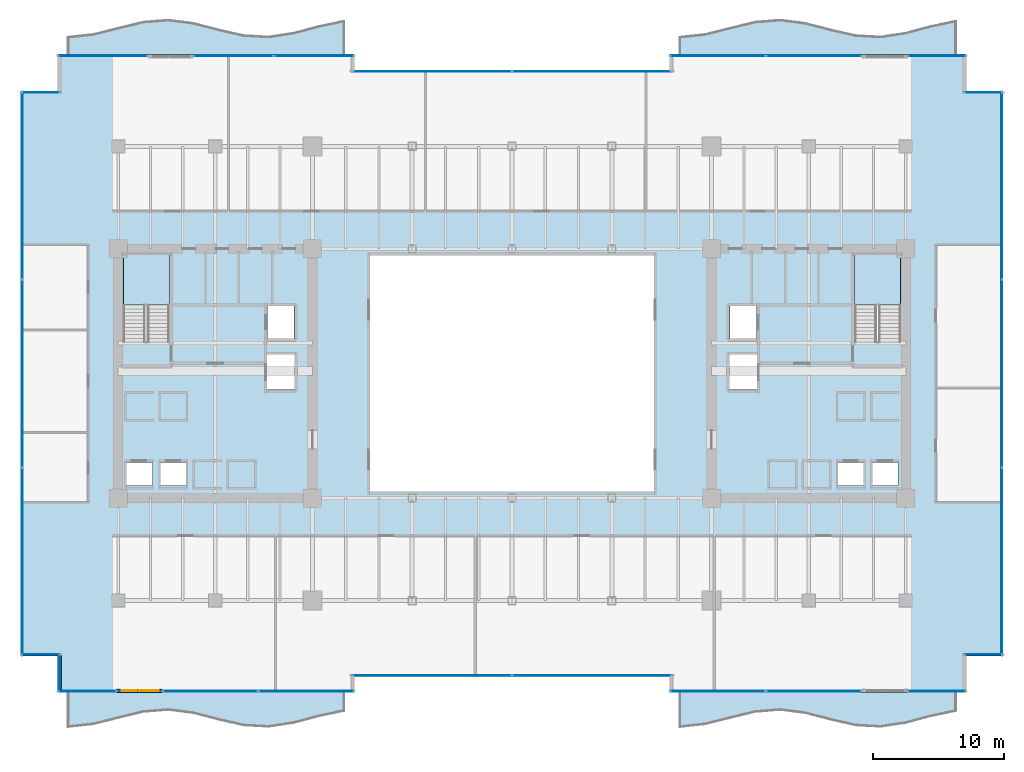
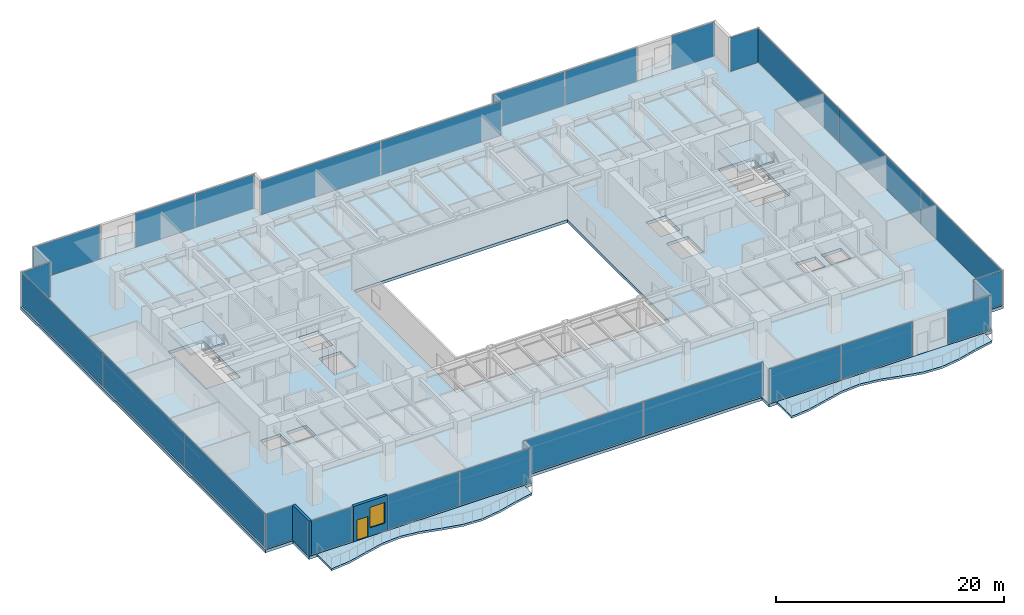
# One storey, part 23 of 32: 26 plates, 7 slabs, 2 walls, 1 door, 1 window, 2 openings, 18 elements without a shape of their own.
"""IFC4 building model written with IfcOpenShell, lengths in metres."""

from ifc_helpers import new_model, si_unit, direction, frame, frame_2d, origin, origin_2d, place, context, subcontext, project, spatial, polyline, rectangle, outline, extrude, source, transform, mapped, material, layer, layer_set, type_object, type_shapes, element, fill, aggregate, save


model = new_model("IFC4")

# Units and contexts
model_context = context("Model", 3, precision=1e-05, world=origin(), true_north=direction((0.0, 1.0)))
body_context = subcontext(model_context, "Body", "Model", "MODEL_VIEW")
ifc_project = project(units=[si_unit("LENGTHUNIT", "METRE"), si_unit("AREAUNIT", "SQUARE_METRE"), si_unit("VOLUMEUNIT", "CUBIC_METRE"), si_unit("PLANEANGLEUNIT", "RADIAN"), si_unit("MASSUNIT", "GRAM", prefix="KILO")], contexts=[model_context])

# Site, building, storey
site_placement = place(None, origin())
site = spatial("IfcSite", under=ifc_project, at=site_placement, CompositionType="ELEMENT")
building_placement = place(site_placement, origin())
building = spatial("IfcBuilding", under=site, at=building_placement, Name="Haelvirn Gate Laboratories", CompositionType="ELEMENT")
storey_placement = place(building_placement, frame((0.0, 0.0, 33.39990234375)))
storey = spatial("IfcBuildingStorey", under=building, at=storey_placement, Name="L08", CompositionType="ELEMENT", Elevation=33.39990234375)

# Stair, slab
ifc_material_1 = material(Name="Concrete C40/50", Category="concrete")
stair_type = type_object("IfcStairType", Name="ST-DOG-1650-R22", PredefinedType="HALF_TURN_STAIR", material=ifc_material_1)
stair_1_placement = place(storey_placement, origin())
stair_1 = element("IfcStair", 1, at=stair_1_placement, inside=storey, type_object=stair_type, Name="L08 Escape Stair ST1", PredefinedType="HALF_TURN_STAIR")
ifc_layer_1 = layer(ifc_material_1, 0.199951171875, Name="SL-STAIR-LND")
ifc_layer_set_1 = layer_set([ifc_layer_1], Name="Concrete C40/50")
slab_type_1 = type_object("IfcSlabType", Name="SL-STAIR-LND", PredefinedType="LANDING", material=ifc_layer_set_1)
slab_1_placement = place(storey_placement, frame((0.0, 0.0, 1.85009765625)))
slab_1 = element("IfcSlab", 2, at=slab_1_placement, type_object=slab_type_1, Name="ST1 landing 1", PredefinedType="LANDING", context=body_context, shape_type="SweptSolid", body=[
    extrude(outline(polyline([(11.300048828125, 29.5), (11.300048828125, 33.35009765625), (7.800048828125, 33.35009765625), (7.800048828125, 29.5), (11.300048828125, 29.5)])), origin(), (0.0, 0.0, 1.0), 0.199951171875),
])
aggregate(stair_1, [slab_1])

stair_2_placement = place(storey_placement, origin())
stair_2 = element("IfcStair", 3, at=stair_2_placement, inside=storey, type_object=stair_type, Name="L08 Escape Stair ST2", PredefinedType="HALF_TURN_STAIR")
slab_2_placement = place(storey_placement, frame((0.0, 0.0, 1.85009765625)))
slab_2 = element("IfcSlab", 4, at=slab_2_placement, type_object=slab_type_1, Name="ST2 landing 1", PredefinedType="LANDING", context=body_context, shape_type="SweptSolid", body=[
    extrude(outline(polyline([(67.0, 29.5), (67.0, 33.35009765625), (63.5, 33.35009765625), (63.5, 29.5), (67.0, 29.5)])), origin(), (0.0, 0.0, 1.0), 0.199951171875),
])
aggregate(stair_2, [slab_2])

# Slabs
ifc_layer_2 = layer(ifc_material_1, 0.22998046875, Name="SL-WB-P3")
ifc_layer_set_2 = layer_set([ifc_layer_2], Name="Concrete C40/50")
slab_type_2 = type_object("IfcSlabType", Name="SL-WB-P3", PredefinedType="FLOOR", material=ifc_layer_set_2)
slab_3_placement = place(storey_placement, frame((0.0, 0.0, -0.22998046875)))
element("IfcSlab", 5, at=slab_3_placement, inside=storey, type_object=slab_type_2, Name="L08 Soft-Wave Balcony WL-S", PredefinedType="FLOOR", context=body_context, shape_type="SweptSolid", body=[
    extrude(outline(polyline([(3.60009765625, -2.60009765625), (5.509033203125, -2.39794921875), (7.418212890625, -1.91748046875), (9.327392578125, -1.45703125), (11.236328125, -1.30322265625), (13.1455078125, -1.551513671875), (15.054443359375, -2.047607421875), (16.963623046875, -2.48291015625), (18.872802734375, -2.5869140625), (20.78173828125, -2.295166015625), (22.69091796875, -1.78857421875), (24.60009765625, -1.382568359375), (24.60009765625, 0.0), (22.69091796875, 0.0), (20.78173828125, 0.0), (18.872802734375, 0.0), (16.963623046875, 0.0), (15.054443359375, 0.0), (13.1455078125, 0.0), (11.236328125, 0.0), (9.327392578125, 0.0), (7.418212890625, 0.0), (5.509033203125, 0.0), (3.60009765625, 0.0), (3.60009765625, -2.60009765625)])), origin(), (0.0, 0.0, 1.0), 0.22998046875),
])
slab_4_placement = place(storey_placement, frame((0.0, 0.0, -0.22998046875)))
element("IfcSlab", 6, at=slab_4_placement, inside=storey, type_object=slab_type_2, Name="L08 Soft-Wave Balcony WL-N", PredefinedType="FLOOR", context=body_context, shape_type="SweptSolid", body=[
    extrude(outline(polyline([(3.60009765625, 48.60009765625), (5.509033203125, 48.60009765625), (7.418212890625, 48.60009765625), (9.327392578125, 48.60009765625), (11.236328125, 48.60009765625), (13.1455078125, 48.60009765625), (15.054443359375, 48.60009765625), (16.963623046875, 48.60009765625), (18.872802734375, 48.60009765625), (20.78173828125, 48.60009765625), (22.69091796875, 48.60009765625), (24.60009765625, 48.60009765625), (24.60009765625, 51.117431640625), (22.69091796875, 50.71142578125), (20.78173828125, 50.204833984375), (18.872802734375, 49.9130859375), (16.963623046875, 50.01708984375), (15.054443359375, 50.452392578125), (13.1455078125, 50.948486328125), (11.236328125, 51.19677734375), (9.327392578125, 51.04296875), (7.418212890625, 50.58251953125), (5.509033203125, 50.10205078125), (3.60009765625, 49.89990234375), (3.60009765625, 48.60009765625)])), origin(), (0.0, 0.0, 1.0), 0.22998046875),
])
slab_5_placement = place(storey_placement, frame((0.0, 0.0, -0.22998046875)))
element("IfcSlab", 7, at=slab_5_placement, inside=storey, type_object=slab_type_2, Name="L08 Soft-Wave Balcony EL-S", PredefinedType="FLOOR", context=body_context, shape_type="SweptSolid", body=[
    extrude(outline(polyline([(50.199951171875, -2.60009765625), (52.109130859375, -2.39794921875), (54.018310546875, -1.91748046875), (55.92724609375, -1.45703125), (57.83642578125, -1.30322265625), (59.74560546875, -1.551513671875), (61.654541015625, -2.047607421875), (63.563720703125, -2.48291015625), (65.47265625, -2.5869140625), (67.3818359375, -2.295166015625), (69.291015625, -1.78857421875), (71.199951171875, -1.382568359375), (71.199951171875, 0.0), (69.291015625, 0.0), (67.3818359375, 0.0), (65.47265625, 0.0), (63.563720703125, 0.0), (61.654541015625, 0.0), (59.74560546875, 0.0), (57.83642578125, 0.0), (55.92724609375, 0.0), (54.018310546875, 0.0), (52.109130859375, 0.0), (50.199951171875, 0.0), (50.199951171875, -2.60009765625)])), origin(), (0.0, 0.0, 1.0), 0.22998046875),
])
slab_6_placement = place(storey_placement, frame((0.0, 0.0, -0.22998046875)))
element("IfcSlab", 8, at=slab_6_placement, inside=storey, type_object=slab_type_2, Name="L08 Soft-Wave Balcony EL-N", PredefinedType="FLOOR", context=body_context, shape_type="SweptSolid", body=[
    extrude(outline(polyline([(50.199951171875, 48.60009765625), (52.109130859375, 48.60009765625), (54.018310546875, 48.60009765625), (55.92724609375, 48.60009765625), (57.83642578125, 48.60009765625), (59.74560546875, 48.60009765625), (61.654541015625, 48.60009765625), (63.563720703125, 48.60009765625), (65.47265625, 48.60009765625), (67.3818359375, 48.60009765625), (69.291015625, 48.60009765625), (71.199951171875, 48.60009765625), (71.199951171875, 51.117431640625), (69.291015625, 50.71142578125), (67.3818359375, 50.204833984375), (65.47265625, 49.9130859375), (63.563720703125, 50.01708984375), (61.654541015625, 50.452392578125), (59.74560546875, 50.948486328125), (57.83642578125, 51.19677734375), (55.92724609375, 51.04296875), (54.018310546875, 50.58251953125), (52.109130859375, 50.10205078125), (50.199951171875, 49.89990234375), (50.199951171875, 48.60009765625)])), origin(), (0.0, 0.0, 1.0), 0.22998046875),
])
ifc_material_2 = material(Name="Concrete C50/60", Category="concrete")
ifc_layer_3 = layer(ifc_material_2, 0.320068359375, Name="SL-Z1-320")
ifc_layer_set_3 = layer_set([ifc_layer_3], Name="Concrete C50/60")
slab_type_3 = type_object("IfcSlabType", Name="SL-Z1-320", PredefinedType="FLOOR", material=ifc_layer_set_3)
slab_7_placement = place(storey_placement, frame((0.0, 0.0, -0.31982421875)))
element("IfcSlab", 9, at=slab_7_placement, inside=storey, type_object=slab_type_3, Name="L08 Structural Slab MAIN", PredefinedType="FLOOR", context=body_context, shape_type="SweptSolid", body=[
    extrude(outline(polyline([(2.800048828125, 0.0), (25.39990234375, 0.0), (25.39990234375, 1.199951171875), (49.39990234375, 1.199951171875), (49.39990234375, 0.0), (72.0, 0.0), (72.0, 2.800048828125), (74.800048828125, 2.800048828125), (74.800048828125, 45.800048828125), (72.0, 45.800048828125), (72.0, 48.60009765625), (49.39990234375, 48.60009765625), (49.39990234375, 47.39990234375), (25.39990234375, 47.39990234375), (25.39990234375, 48.60009765625), (2.800048828125, 48.60009765625), (2.800048828125, 45.800048828125), (0.0, 45.800048828125), (0.0, 2.800048828125), (2.800048828125, 2.800048828125), (2.800048828125, 0.0)]), holes=[polyline([(26.60009765625, 15.300048828125), (48.199951171875, 15.300048828125), (48.199951171875, 33.300048828125), (26.60009765625, 33.300048828125), (26.60009765625, 15.300048828125)]), polyline([(11.300048828125, 26.780029296875), (11.300048828125, 33.35009765625), (7.800048828125, 33.35009765625), (7.800048828125, 26.780029296875), (11.300048828125, 26.780029296875)]), polyline([(67.0, 26.780029296875), (67.0, 33.35009765625), (63.5, 33.35009765625), (63.5, 26.780029296875), (67.0, 26.780029296875)]), polyline([(7.989990234375, 15.77001953125), (10.010009765625, 15.77001953125), (10.010009765625, 17.510009765625), (7.989990234375, 17.510009765625), (7.989990234375, 15.77001953125)]), polyline([(10.590087890625, 15.77001953125), (12.610107421875, 15.77001953125), (12.610107421875, 17.510009765625), (10.590087890625, 17.510009765625), (10.590087890625, 15.77001953125)]), polyline([(18.7900390625, 26.969970703125), (20.81005859375, 26.969970703125), (20.81005859375, 29.510009765625), (18.7900390625, 29.510009765625), (18.7900390625, 26.969970703125)]), polyline([(18.68994140625, 23.070068359375), (20.909912109375, 23.070068359375), (20.909912109375, 25.81005859375), (18.68994140625, 25.81005859375), (18.68994140625, 23.070068359375)]), polyline([(64.7900390625, 15.77001953125), (66.81005859375, 15.77001953125), (66.81005859375, 17.510009765625), (64.7900390625, 17.510009765625), (64.7900390625, 15.77001953125)]), polyline([(62.18994140625, 15.77001953125), (64.2099609375, 15.77001953125), (64.2099609375, 17.510009765625), (62.18994140625, 17.510009765625), (62.18994140625, 15.77001953125)]), polyline([(53.989990234375, 26.969970703125), (56.010009765625, 26.969970703125), (56.010009765625, 29.510009765625), (53.989990234375, 29.510009765625), (53.989990234375, 26.969970703125)]), polyline([(53.889892578125, 23.070068359375), (56.110107421875, 23.070068359375), (56.110107421875, 25.81005859375), (53.889892578125, 25.81005859375), (53.889892578125, 23.070068359375)])]), origin(), (0.0, 0.0, 1.0), 0.31982421875),
])

# Curtain wall, plates
ifc_material_3 = material(Name="Anodised bronze unitised aluminium & triple low-E glass", Category="aluminium")
ifc_layer_4 = layer(ifc_material_3, 0.18408203125, Name="CW-SYS-2")
ifc_layer_set_4 = layer_set([ifc_layer_4], Name="Anodised bronze unitised aluminium & triple low-E glass")
curtain_wall_type_1 = type_object("IfcCurtainWallType", Name="CW-SYS-2", PredefinedType="NOTDEFINED", material=ifc_layer_set_4)
curtain_wall_1_placement = place(storey_placement, origin())
curtain_wall_1 = element("IfcCurtainWall", 10, at=curtain_wall_1_placement, inside=storey, type_object=curtain_wall_type_1, Name="L08 Unitised Curtain Wall CW-L08-P0-E02-1", PredefinedType="NOTDEFINED")
ifc_material_4 = material(Name="Bronze solar-control triple low-E IGU 44 mm", Category="glass")
ifc_layer_5 = layer(ifc_material_4, 0.0439453125, Name="CWP-IGU-44")
ifc_layer_set_5 = layer_set([ifc_layer_5], Name="Bronze solar-control triple low-E IGU 44 mm")
plate_type_1 = type_object("IfcPlateType", Name="CWP-IGU-44", PredefinedType="CURTAIN_PANEL", material=ifc_layer_set_5)
shared_shape_1 = source(origin(), body_context, "Body", "SweptSolid", [
    extrude(rectangle(XDim=12.12744140625, YDim=0.0439453125, at=origin_2d()), origin(), (0.0, 0.0, 1.0), 3.639892578125),
])
plate_1_placement = place(storey_placement, frame((31.298828125, 1.300048828125, 0.0703125), z_axis=(0.0, 0.0, 1.0), x_axis=(1.0, 0.0, 0.0)))
plate_1 = element("IfcPlate", 11, at=plate_1_placement, type_object=plate_type_1, Name="CW2 panel 1.1", PredefinedType="CURTAIN_PANEL", context=body_context, shape_type="MappedRepresentation", body=[
    mapped(shared_shape_1, transform((0.0, 0.0, 0.0), scale=1.0)),
])
plate_2_placement = place(storey_placement, frame((43.501220703125, 1.300048828125, 0.0703125), z_axis=(0.0, 0.0, 1.0), x_axis=(1.0, 0.0, 0.0)))
plate_2 = element("IfcPlate", 12, at=plate_2_placement, type_object=plate_type_1, Name="CW2 panel 2.1", PredefinedType="CURTAIN_PANEL", context=body_context, shape_type="MappedRepresentation", body=[
    mapped(shared_shape_1, transform((0.0, 0.0, 0.0), scale=1.0)),
])
aggregate(curtain_wall_1, [plate_1, plate_2])

curtain_wall_2_placement = place(storey_placement, origin())
curtain_wall_2 = element("IfcCurtainWall", 13, at=curtain_wall_2_placement, inside=storey, type_object=curtain_wall_type_1, Name="L08 Unitised Curtain Wall CW-L08-P0-E12-1", PredefinedType="NOTDEFINED")
plate_3_placement = place(storey_placement, frame((31.298828125, 47.300048828125, 0.0703125), z_axis=(0.0, 0.0, 1.0), x_axis=(1.0, 0.0, 0.0)))
plate_3 = element("IfcPlate", 14, at=plate_3_placement, type_object=plate_type_1, Name="CW2 panel 1.1", PredefinedType="CURTAIN_PANEL", context=body_context, shape_type="MappedRepresentation", body=[
    mapped(shared_shape_1, transform((0.0, 0.0, 0.0), scale=1.0)),
])
plate_4_placement = place(storey_placement, frame((43.501220703125, 47.300048828125, 0.0703125), z_axis=(0.0, 0.0, 1.0), x_axis=(1.0, 0.0, 0.0)))
plate_4 = element("IfcPlate", 15, at=plate_4_placement, type_object=plate_type_1, Name="CW2 panel 2.1", PredefinedType="CURTAIN_PANEL", context=body_context, shape_type="MappedRepresentation", body=[
    mapped(shared_shape_1, transform((0.0, 0.0, 0.0), scale=1.0)),
])
aggregate(curtain_wall_2, [plate_3, plate_4])

# Curtain wall, plate
ifc_layer_6 = layer(ifc_material_3, 0.181884765625, Name="CW-SYS-5")
ifc_layer_set_6 = layer_set([ifc_layer_6], Name="Anodised bronze unitised aluminium & triple low-E glass")
curtain_wall_type_2 = type_object("IfcCurtainWallType", Name="CW-SYS-5", PredefinedType="NOTDEFINED", material=ifc_layer_set_6)
curtain_wall_3_placement = place(storey_placement, origin())
curtain_wall_3 = element("IfcCurtainWall", 16, at=curtain_wall_3_placement, inside=storey, type_object=curtain_wall_type_2, Name="L08 Unitised Curtain Wall CW-L08-P0-E06-1", PredefinedType="NOTDEFINED")
ifc_material_5 = material(Name="Clear low-iron notched-corner triple IGU 42 mm", Category="glass")
ifc_layer_7 = layer(ifc_material_5, 0.0419921875, Name="CWP-NTC-42")
ifc_layer_set_7 = layer_set([ifc_layer_7], Name="Clear low-iron notched-corner triple IGU 42 mm")
plate_type_2 = type_object("IfcPlateType", Name="CWP-NTC-42", PredefinedType="CURTAIN_PANEL", material=ifc_layer_set_7)
shared_shape_2 = source(origin(), body_context, "Body", "SweptSolid", [
    extrude(rectangle(XDim=2.8798828125, YDim=0.0419921875, at=origin_2d()), origin(), (0.0, 0.0, 1.0), 3.64990234375),
])
type_shapes(plate_type_2, [shared_shape_2])
plate_5_placement = place(storey_placement, frame((73.280029296875, 2.89990234375, 0.065185546875), z_axis=(0.0, 0.0, 1.0), x_axis=(1.0, 0.0, 0.0)))
plate_5 = element("IfcPlate", 17, at=plate_5_placement, type_object=plate_type_2, Name="CW5 panel 1.1", PredefinedType="CURTAIN_PANEL", context=body_context, shape_type="MappedRepresentation", body=[
    mapped(shared_shape_2, transform((0.0, 0.0, 0.0), scale=1.0)),
])
aggregate(curtain_wall_3, [plate_5])

curtain_wall_4_placement = place(storey_placement, origin())
curtain_wall_4 = element("IfcCurtainWall", 18, at=curtain_wall_4_placement, inside=storey, type_object=curtain_wall_type_2, Name="L08 Unitised Curtain Wall CW-L08-P0-E08-1", PredefinedType="NOTDEFINED")
plate_6_placement = place(storey_placement, frame((73.280029296875, 45.699951171875, 0.065185546875), z_axis=(0.0, 0.0, 1.0), x_axis=(1.0, 0.0, 0.0)))
plate_6 = element("IfcPlate", 19, at=plate_6_placement, type_object=plate_type_2, Name="CW5 panel 1.1", PredefinedType="CURTAIN_PANEL", context=body_context, shape_type="MappedRepresentation", body=[
    mapped(shared_shape_2, transform((0.0, 0.0, 0.0), scale=1.0)),
])
aggregate(curtain_wall_4, [plate_6])

curtain_wall_5_placement = place(storey_placement, origin())
curtain_wall_5 = element("IfcCurtainWall", 20, at=curtain_wall_5_placement, inside=storey, type_object=curtain_wall_type_2, Name="L08 Unitised Curtain Wall CW-L08-P0-E16-1", PredefinedType="NOTDEFINED")
plate_7_placement = place(storey_placement, frame((1.52001953125, 45.699951171875, 0.065185546875), z_axis=(0.0, 0.0, 1.0), x_axis=(1.0, 0.0, 0.0)))
plate_7 = element("IfcPlate", 21, at=plate_7_placement, type_object=plate_type_2, Name="CW5 panel 1.1", PredefinedType="CURTAIN_PANEL", context=body_context, shape_type="MappedRepresentation", body=[
    mapped(shared_shape_2, transform((0.0, 0.0, 0.0), scale=1.0)),
])
aggregate(curtain_wall_5, [plate_7])

curtain_wall_6_placement = place(storey_placement, origin())
curtain_wall_6 = element("IfcCurtainWall", 22, at=curtain_wall_6_placement, inside=storey, type_object=curtain_wall_type_2, Name="L08 Unitised Curtain Wall CW-L08-P0-E18-1", PredefinedType="NOTDEFINED")
plate_8_placement = place(storey_placement, frame((1.52001953125, 2.89990234375, 0.065185546875), z_axis=(0.0, 0.0, 1.0), x_axis=(1.0, 0.0, 0.0)))
plate_8 = element("IfcPlate", 23, at=plate_8_placement, type_object=plate_type_2, Name="CW5 panel 1.1", PredefinedType="CURTAIN_PANEL", context=body_context, shape_type="MappedRepresentation", body=[
    mapped(shared_shape_2, transform((0.0, 0.0, 0.0), scale=1.0)),
])
aggregate(curtain_wall_6, [plate_8])

# Curtain wall, plates
curtain_wall_7_placement = place(storey_placement, origin())
curtain_wall_7 = element("IfcCurtainWall", 24, at=curtain_wall_7_placement, inside=storey, type_object=curtain_wall_type_1, Name="L08 Unitised Curtain Wall CW-L08-P0-E07", PredefinedType="NOTDEFINED")
shared_shape_3 = source(origin(), body_context, "Body", "SweptSolid", [
    extrude(rectangle(XDim=14.220947265625, YDim=0.0439453125, at=origin_2d()), origin(), (0.0, 0.0, 1.0), 3.639892578125),
])
plate_9_placement = place(storey_placement, frame((74.699951171875, 9.9853515625, 0.0703125), z_axis=(0.0, 0.0, 1.0), x_axis=(0.0, 1.0, 0.0)))
plate_9 = element("IfcPlate", 25, at=plate_9_placement, type_object=plate_type_1, Name="CW2 panel 1.1", PredefinedType="CURTAIN_PANEL", context=body_context, shape_type="MappedRepresentation", body=[
    mapped(shared_shape_3, transform((0.0, 0.0, 0.0), scale=1.0)),
])
plate_10_placement = place(storey_placement, frame((74.699951171875, 38.614501953125, 0.0703125), z_axis=(0.0, 0.0, 1.0), x_axis=(0.0, 1.0, 0.0)))
plate_10 = element("IfcPlate", 26, at=plate_10_placement, type_object=plate_type_1, Name="CW2 panel 3.1", PredefinedType="CURTAIN_PANEL", context=body_context, shape_type="MappedRepresentation", body=[
    mapped(shared_shape_3, transform((0.0, 0.0, 0.0), scale=1.0)),
])

curtain_wall_8_placement = place(storey_placement, origin())
curtain_wall_8 = element("IfcCurtainWall", 27, at=curtain_wall_8_placement, inside=storey, type_object=curtain_wall_type_1, Name="L08 Unitised Curtain Wall CW-L08-P0-E17", PredefinedType="NOTDEFINED")
plate_11_placement = place(storey_placement, frame((0.10009765625, 38.614501953125, 0.0703125), z_axis=(0.0, 0.0, 1.0), x_axis=(0.0, -1.0, 0.0)))
plate_11 = element("IfcPlate", 28, at=plate_11_placement, type_object=plate_type_1, Name="CW2 panel 1.1", PredefinedType="CURTAIN_PANEL", context=body_context, shape_type="MappedRepresentation", body=[
    mapped(shared_shape_3, transform((0.0, 0.0, 0.0), scale=1.0)),
])
plate_12_placement = place(storey_placement, frame((0.10009765625, 9.9853515625, 0.0703125), z_axis=(0.0, 0.0, 1.0), x_axis=(0.0, -1.0, 0.0)))
plate_12 = element("IfcPlate", 29, at=plate_12_placement, type_object=plate_type_1, Name="CW2 panel 3.1", PredefinedType="CURTAIN_PANEL", context=body_context, shape_type="MappedRepresentation", body=[
    mapped(shared_shape_3, transform((0.0, 0.0, 0.0), scale=1.0)),
])

# Plate
shared_shape_4 = source(origin(), body_context, "Body", "SweptSolid", [
    extrude(rectangle(XDim=14.25830078125, YDim=0.0439453125, at=origin_2d()), origin(), (0.0, 0.0, 1.0), 3.639892578125),
])
plate_13_placement = place(storey_placement, frame((74.699951171875, 24.300048828125, 0.0703125), z_axis=(0.0, 0.0, 1.0), x_axis=(0.0, 1.0, 0.0)))
plate_13 = element("IfcPlate", 30, at=plate_13_placement, type_object=plate_type_1, Name="CW2 panel 2.1", PredefinedType="CURTAIN_PANEL", context=body_context, shape_type="MappedRepresentation", body=[
    mapped(shared_shape_4, transform((0.0, 0.0, 0.0), scale=1.0)),
])

aggregate(curtain_wall_7, [plate_9, plate_13, plate_10])

plate_14_placement = place(storey_placement, frame((0.10009765625, 24.300048828125, 0.0703125), z_axis=(0.0, 0.0, 1.0), x_axis=(0.0, -1.0, 0.0)))
plate_14 = element("IfcPlate", 31, at=plate_14_placement, type_object=plate_type_1, Name="CW2 panel 2.1", PredefinedType="CURTAIN_PANEL", context=body_context, shape_type="MappedRepresentation", body=[
    mapped(shared_shape_4, transform((0.0, 0.0, 0.0), scale=1.0)),
])

aggregate(curtain_wall_8, [plate_11, plate_14, plate_12])

# Curtain wall, plate
curtain_wall_9_placement = place(storey_placement, origin())
curtain_wall_9 = element("IfcCurtainWall", 32, at=curtain_wall_9_placement, inside=storey, type_object=curtain_wall_type_1, Name="L08 Unitised Curtain Wall CW-L08-P0-E00-1", PredefinedType="NOTDEFINED")
shared_shape_5 = source(origin(), body_context, "Body", "SweptSolid", [
    extrude(rectangle(XDim=4.360107421875, YDim=0.0439453125, at=origin_2d()), origin(), (0.0, 0.0, 1.0), 3.639892578125),
])
plate_15_placement = place(storey_placement, frame((5.054931640625, 0.10009765625, 0.0703125), z_axis=(0.0, 0.0, 1.0), x_axis=(1.0, 0.0, 0.0)))
plate_15 = element("IfcPlate", 33, at=plate_15_placement, type_object=plate_type_1, Name="CW2 panel 1.1", PredefinedType="CURTAIN_PANEL", context=body_context, shape_type="MappedRepresentation", body=[
    mapped(shared_shape_5, transform((0.0, 0.0, 0.0), scale=1.0)),
])
aggregate(curtain_wall_9, [plate_15])

curtain_wall_10_placement = place(storey_placement, origin())
curtain_wall_10 = element("IfcCurtainWall", 34, at=curtain_wall_10_placement, inside=storey, type_object=curtain_wall_type_1, Name="L08 Unitised Curtain Wall CW-L08-P0-E04-2", PredefinedType="NOTDEFINED")
plate_16_placement = place(storey_placement, frame((69.7451171875, 0.10009765625, 0.0703125), z_axis=(0.0, 0.0, 1.0), x_axis=(1.0, 0.0, 0.0)))
plate_16 = element("IfcPlate", 35, at=plate_16_placement, type_object=plate_type_1, Name="CW2 panel 1.1", PredefinedType="CURTAIN_PANEL", context=body_context, shape_type="MappedRepresentation", body=[
    mapped(shared_shape_5, transform((0.0, 0.0, 0.0), scale=1.0)),
])
aggregate(curtain_wall_10, [plate_16])

curtain_wall_11_placement = place(storey_placement, origin())
curtain_wall_11 = element("IfcCurtainWall", 36, at=curtain_wall_11_placement, inside=storey, type_object=curtain_wall_type_1, Name="L08 Unitised Curtain Wall CW-L08-P0-E10-2", PredefinedType="NOTDEFINED")
plate_17_placement = place(storey_placement, frame((69.7451171875, 48.5, 0.0703125), z_axis=(0.0, 0.0, 1.0), x_axis=(1.0, 0.0, 0.0)))
plate_17 = element("IfcPlate", 37, at=plate_17_placement, type_object=plate_type_1, Name="CW2 panel 1.1", PredefinedType="CURTAIN_PANEL", context=body_context, shape_type="MappedRepresentation", body=[
    mapped(shared_shape_5, transform((0.0, 0.0, 0.0), scale=1.0)),
])
aggregate(curtain_wall_11, [plate_17])

# Curtain wall, plates
curtain_wall_12_placement = place(storey_placement, origin())
curtain_wall_12 = element("IfcCurtainWall", 38, at=curtain_wall_12_placement, inside=storey, type_object=curtain_wall_type_1, Name="L08 Unitised Curtain Wall CW-L08-P0-E00-2", PredefinedType="NOTDEFINED")
shared_shape_6 = source(origin(), body_context, "Body", "SweptSolid", [
    extrude(rectangle(XDim=7.21240234375, YDim=0.0439453125, at=origin_2d()), origin(), (0.0, 0.0, 1.0), 3.639892578125),
])
plate_18_placement = place(storey_placement, frame((14.43115234375, 0.10009765625, 0.0703125), z_axis=(0.0, 0.0, 1.0), x_axis=(1.0, 0.0, 0.0)))
plate_18 = element("IfcPlate", 39, at=plate_18_placement, type_object=plate_type_1, Name="CW2 panel 1.1", PredefinedType="CURTAIN_PANEL", context=body_context, shape_type="MappedRepresentation", body=[
    mapped(shared_shape_6, transform((0.0, 0.0, 0.0), scale=1.0)),
])
plate_19_placement = place(storey_placement, frame((21.71875, 0.10009765625, 0.0703125), z_axis=(0.0, 0.0, 1.0), x_axis=(1.0, 0.0, 0.0)))
plate_19 = element("IfcPlate", 40, at=plate_19_placement, type_object=plate_type_1, Name="CW2 panel 2.1", PredefinedType="CURTAIN_PANEL", context=body_context, shape_type="MappedRepresentation", body=[
    mapped(shared_shape_6, transform((0.0, 0.0, 0.0), scale=1.0)),
])
aggregate(curtain_wall_12, [plate_18, plate_19])

curtain_wall_13_placement = place(storey_placement, origin())
curtain_wall_13 = element("IfcCurtainWall", 41, at=curtain_wall_13_placement, inside=storey, type_object=curtain_wall_type_1, Name="L08 Unitised Curtain Wall CW-L08-P0-E04-1", PredefinedType="NOTDEFINED")
plate_20_placement = place(storey_placement, frame((53.081298828125, 0.10009765625, 0.0703125), z_axis=(0.0, 0.0, 1.0), x_axis=(1.0, 0.0, 0.0)))
plate_20 = element("IfcPlate", 42, at=plate_20_placement, type_object=plate_type_1, Name="CW2 panel 1.1", PredefinedType="CURTAIN_PANEL", context=body_context, shape_type="MappedRepresentation", body=[
    mapped(shared_shape_6, transform((0.0, 0.0, 0.0), scale=1.0)),
])
plate_21_placement = place(storey_placement, frame((60.36865234375, 0.10009765625, 0.0703125), z_axis=(0.0, 0.0, 1.0), x_axis=(1.0, 0.0, 0.0)))
plate_21 = element("IfcPlate", 43, at=plate_21_placement, type_object=plate_type_1, Name="CW2 panel 2.1", PredefinedType="CURTAIN_PANEL", context=body_context, shape_type="MappedRepresentation", body=[
    mapped(shared_shape_6, transform((0.0, 0.0, 0.0), scale=1.0)),
])
aggregate(curtain_wall_13, [plate_20, plate_21])

curtain_wall_14_placement = place(storey_placement, origin())
curtain_wall_14 = element("IfcCurtainWall", 44, at=curtain_wall_14_placement, inside=storey, type_object=curtain_wall_type_1, Name="L08 Unitised Curtain Wall CW-L08-P0-E10-1", PredefinedType="NOTDEFINED")
plate_22_placement = place(storey_placement, frame((53.081298828125, 48.5, 0.0703125), z_axis=(0.0, 0.0, 1.0), x_axis=(1.0, 0.0, 0.0)))
plate_22 = element("IfcPlate", 45, at=plate_22_placement, type_object=plate_type_1, Name="CW2 panel 1.1", PredefinedType="CURTAIN_PANEL", context=body_context, shape_type="MappedRepresentation", body=[
    mapped(shared_shape_6, transform((0.0, 0.0, 0.0), scale=1.0)),
])
plate_23_placement = place(storey_placement, frame((60.36865234375, 48.5, 0.0703125), z_axis=(0.0, 0.0, 1.0), x_axis=(1.0, 0.0, 0.0)))
plate_23 = element("IfcPlate", 46, at=plate_23_placement, type_object=plate_type_1, Name="CW2 panel 2.1", PredefinedType="CURTAIN_PANEL", context=body_context, shape_type="MappedRepresentation", body=[
    mapped(shared_shape_6, transform((0.0, 0.0, 0.0), scale=1.0)),
])
aggregate(curtain_wall_14, [plate_22, plate_23])

# Curtain wall, plate
curtain_wall_15_placement = place(storey_placement, origin())
curtain_wall_15 = element("IfcCurtainWall", 47, at=curtain_wall_15_placement, inside=storey, type_object=curtain_wall_type_1, Name="L08 Unitised Curtain Wall CW-L08-P0-E14-1", PredefinedType="NOTDEFINED")
shared_shape_7 = source(origin(), body_context, "Body", "SweptSolid", [
    extrude(rectangle(XDim=6.719970703125, YDim=0.0439453125, at=origin_2d()), origin(), (0.0, 0.0, 1.0), 3.639892578125),
])
plate_24_placement = place(storey_placement, frame((6.235107421875, 48.5, 0.0703125), z_axis=(0.0, 0.0, 1.0), x_axis=(1.0, 0.0, 0.0)))
plate_24 = element("IfcPlate", 48, at=plate_24_placement, type_object=plate_type_1, Name="CW2 panel 1.1", PredefinedType="CURTAIN_PANEL", context=body_context, shape_type="MappedRepresentation", body=[
    mapped(shared_shape_7, transform((0.0, 0.0, 0.0), scale=1.0)),
])
aggregate(curtain_wall_15, [plate_24])

# Curtain wall, plates
curtain_wall_16_placement = place(storey_placement, origin())
curtain_wall_16 = element("IfcCurtainWall", 49, at=curtain_wall_16_placement, inside=storey, type_object=curtain_wall_type_1, Name="L08 Unitised Curtain Wall CW-L08-P0-E14-2", PredefinedType="NOTDEFINED")
shared_shape_8 = source(origin(), body_context, "Body", "SweptSolid", [
    extrude(rectangle(XDim=6.032470703125, YDim=0.0439453125, at=origin_2d()), origin(), (0.0, 0.0, 1.0), 3.639892578125),
])
type_shapes(plate_type_1, [shared_shape_1, shared_shape_3, shared_shape_4, shared_shape_5, shared_shape_6, shared_shape_7, shared_shape_8])
plate_25_placement = place(storey_placement, frame((16.201171875, 48.5, 0.0703125), z_axis=(0.0, 0.0, 1.0), x_axis=(1.0, 0.0, 0.0)))
plate_25 = element("IfcPlate", 50, at=plate_25_placement, type_object=plate_type_1, Name="CW2 panel 1.1", PredefinedType="CURTAIN_PANEL", context=body_context, shape_type="MappedRepresentation", body=[
    mapped(shared_shape_8, transform((0.0, 0.0, 0.0), scale=1.0)),
])
plate_26_placement = place(storey_placement, frame((22.308837890625, 48.5, 0.0703125), z_axis=(0.0, 0.0, 1.0), x_axis=(1.0, 0.0, 0.0)))
plate_26 = element("IfcPlate", 51, at=plate_26_placement, type_object=plate_type_1, Name="CW2 panel 2.1", PredefinedType="CURTAIN_PANEL", context=body_context, shape_type="MappedRepresentation", body=[
    mapped(shared_shape_8, transform((0.0, 0.0, 0.0), scale=1.0)),
])
aggregate(curtain_wall_16, [plate_25, plate_26])

# Wall, openings, door, window
ifc_material_6 = material(Name="Thermally-broken bronze aluminium rainscreen & mineral wool", Category="aluminium")
ifc_layer_8 = layer(ifc_material_6, 0.280029296875, Name="EW-TERR-280")
ifc_layer_set_8 = layer_set([ifc_layer_8], Name="Thermally-broken bronze aluminium rainscreen & mineral wool")
wall_type = type_object("IfcWallType", Name="EW-TERR-280", PredefinedType="STANDARD", material=ifc_layer_set_8)
wall_1_placement = place(storey_placement, frame((7.297119140625, 0.139892578125, 0.0), z_axis=(0.0, 0.0, 1.0), x_axis=(1.0, 0.0, 0.0)))
wall_1 = element("IfcWall", 52, at=wall_1_placement, inside=storey, type_object=wall_type, Name="L08 Terrace Access Wall WB-WL-S", PredefinedType="STANDARD", context=body_context, shape_type="SweptSolid", body=[
    extrude(rectangle(XDim=3.4609375, YDim=0.280029296875, at=frame_2d((1.73046875, 0.0))), origin(), (0.0, 0.0, 1.0), 3.780029296875),
])
opening_1_placement = place(wall_1_placement, frame((0.383056640625, 0.0, 0.0)))
opening_1 = element("IfcOpeningElement", 53, at=opening_1_placement, cuts=wall_1, Name="Opening TD1", PredefinedType="OPENING", context=body_context, shape_type="SweptSolid", body=[
    extrude(rectangle(XDim=1.10009765625, YDim=2.199951171875, at=frame_2d((0.550048828125, 1.10009765625))), frame((0.0, 0.14990234375, 0.0), z_axis=(0.0, -1.0, 0.0), x_axis=(1.0, 0.0, 0.0)), (0.0, 0.0, 1.0), 0.300048828125),
])
opening_2_placement = place(wall_1_placement, frame((1.68310546875, 0.0, 0.89990234375)))
opening_2 = element("IfcOpeningElement", 54, at=opening_2_placement, cuts=wall_1, Name="Opening W3", PredefinedType="OPENING", context=body_context, shape_type="SweptSolid", body=[
    extrude(rectangle(XDim=1.5, YDim=2.199951171875, at=frame_2d((0.75, 1.10009765625))), frame((0.0, 0.14990234375, 0.0), z_axis=(0.0, -1.0, 0.0), x_axis=(1.0, 0.0, 0.0)), (0.0, 0.0, 1.0), 0.300048828125),
])
ifc_material_7 = material(Name="Thermally-broken bronze aluminium glazed terrace door", Category="aluminium")
door_type = type_object("IfcDoorType", Name="DR-TERR-1100", OperationType="NOTDEFINED", PredefinedType="DOOR", material=ifc_material_7)
shared_shape_9 = source(origin(), body_context, "Body", "SweptSolid", [
    extrude(rectangle(XDim=1.10009765625, YDim=2.199951171875, at=frame_2d((0.550048828125, 1.10009765625))), frame((0.0, 0.02490234375, 0.0), z_axis=(0.0, -1.0, 0.0), x_axis=(1.0, 0.0, 0.0)), (0.0, 0.0, 1.0), 0.050048828125),
])
type_shapes(door_type, [shared_shape_9])
door_placement = place(opening_1_placement, origin())
door = element("IfcDoor", 55, at=door_placement, inside=storey, type_object=door_type, Name="L08 Terrace Access Door WB-WL-S", OperationType="SINGLE_SWING_LEFT", OverallHeight=2.199951171875, OverallWidth=1.10009765625, PredefinedType="DOOR", context=body_context, shape_type="MappedRepresentation", body=[
    mapped(shared_shape_9, transform((0.0, 0.0, 0.0), scale=1.0)),
])
fill(opening_1, door)
ifc_material_8 = material(Name="Bronze anodised aluminium & triple low-E glass", Category="aluminium")
window_type = type_object("IfcWindowType", Name="WIN-TERR-1600", PartitioningType="SINGLE_PANEL", PredefinedType="WINDOW", material=ifc_material_8)
shared_shape_10 = source(origin(), body_context, "Body", "SweptSolid", [
    extrude(rectangle(XDim=1.5, YDim=2.199951171875, at=frame_2d((0.75, 1.10009765625))), frame((0.0, 0.030029296875, 0.0), z_axis=(0.0, -1.0, 0.0), x_axis=(1.0, 0.0, 0.0)), (0.0, 0.0, 1.0), 0.06005859375),
])
type_shapes(window_type, [shared_shape_10])
window_placement = place(opening_2_placement, origin())
window = element("IfcWindow", 56, at=window_placement, inside=storey, type_object=window_type, Name="L08 Terrace Vision Window WB-WL-S", OverallHeight=2.199951171875, OverallWidth=1.5, PartitioningType="SINGLE_PANEL", PredefinedType="WINDOW", context=body_context, shape_type="MappedRepresentation", body=[
    mapped(shared_shape_10, transform((0.0, 0.0, 0.0), scale=1.0)),
])
fill(opening_2, window)

# Wall
wall_2_placement = place(storey_placement, frame((2.93994140625, 2.887939453125, 0.0), z_axis=(0.0, 0.0, 1.0), x_axis=(0.0, -1.0, 0.0)))
element("IfcWall", 57, at=wall_2_placement, inside=storey, type_object=wall_type, Name="L08 Atrium Recess Bronze Return Wall 19", PredefinedType="STANDARD", context=body_context, shape_type="SweptSolid", body=[
    extrude(rectangle(XDim=2.887939453125, YDim=0.280029296875, at=frame_2d((1.44384765625, 0.0))), origin(), (0.0, 0.0, 1.0), 3.780029296875),
])

save(model, "model.ifc")
